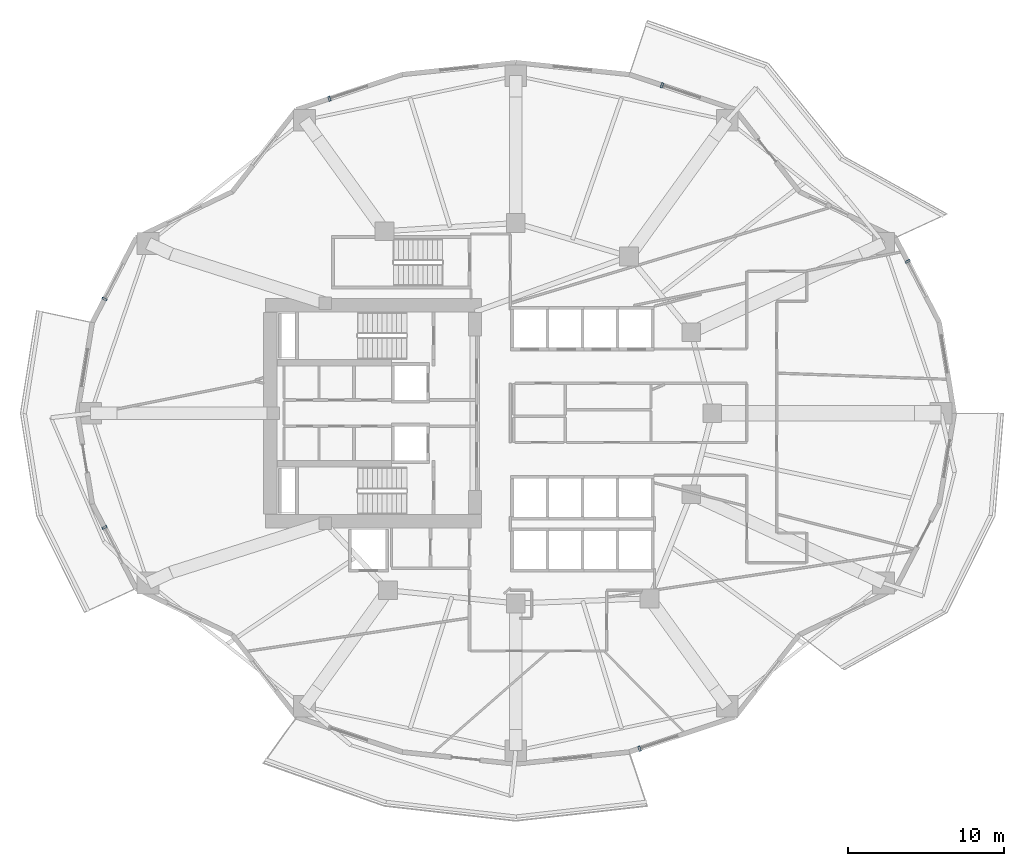
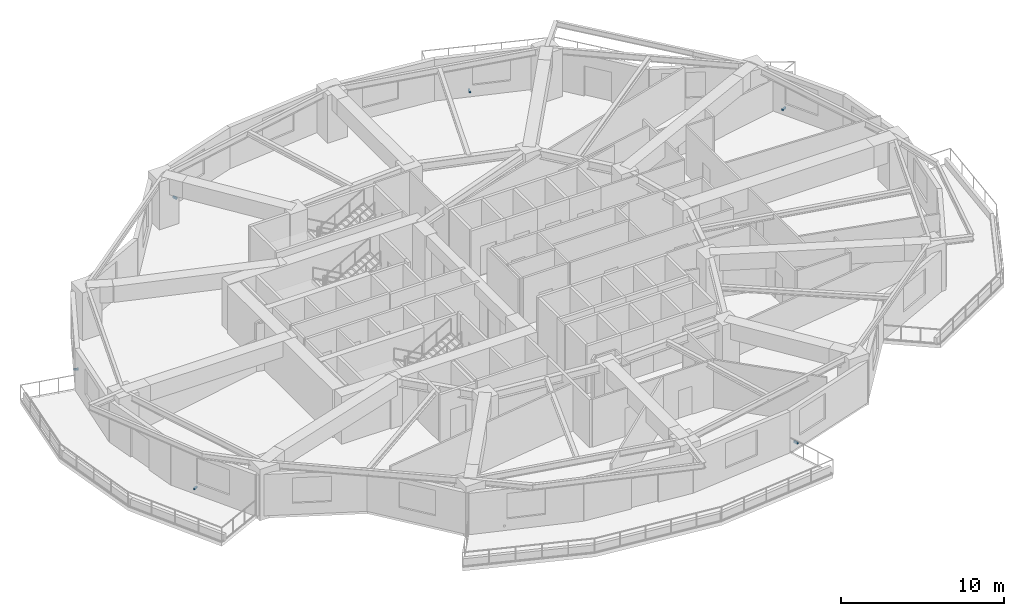
# One storey, part 8 of 13: 6 discrete accessories.
"""IFC4 building model written with IfcOpenShell, lengths in metres."""

from ifc_helpers import new_model, si_unit, direction, frame, origin, origin_2d, place, context, subcontext, project, spatial, rectangle, extrude, material, type_object, element, save


model = new_model("IFC4")

# Units and contexts
model_context = context("Model", 3, precision=1e-05, world=origin(), true_north=direction((0.0, 1.0)))
body_context = subcontext(model_context, "Body", "Model", "MODEL_VIEW")
ifc_project = project(units=[si_unit("LENGTHUNIT", "METRE"), si_unit("AREAUNIT", "SQUARE_METRE"), si_unit("VOLUMEUNIT", "CUBIC_METRE"), si_unit("PLANEANGLEUNIT", "RADIAN"), si_unit("MASSUNIT", "GRAM", prefix="KILO")], contexts=[model_context])

# Site, building, storey
site_placement = place(None, origin())
site = spatial("IfcSite", under=ifc_project, at=site_placement, CompositionType="ELEMENT")
building_placement = place(site_placement, origin())
building = spatial("IfcBuilding", under=site, at=building_placement, Name="Kolvaren Gate Tower and Convention Centre", CompositionType="ELEMENT")
storey_placement = place(building_placement, frame((0.0, 0.0, 49.60009765625)))
storey = spatial("IfcBuildingStorey", under=building, at=storey_placement, Name="L11", CompositionType="ELEMENT", Elevation=49.60009765625)

# Discrete accessories
ifc_material = material(Name="Anodized Architectural Aluminium Alloy 6063-T6", Category="aluminium")
discrete_accessory_type = type_object("IfcDiscreteAccessoryType", Name="ARCH-ACC-BRACKET-120", PredefinedType="BRACKET", material=ifc_material)
for number, where, z_axis, x_axis, name in (
    (1, (55.26123046875, 36.744873046875, 0.289794921875), (0.0, 0.0, 1.0), (0.459789110083, -0.888028138208, 0.0), "Ceramic Fin Wall Anchor Bracket FBK-L11-01"),
    (2, (39.5048828125, 48.037109375, 0.289794921875), (0.0, 0.0, 1.0), (0.949242826568, -0.314544203905, 0.0), "Ceramic Fin Wall Anchor Bracket FBK-L11-04"),
    (3, (18.1630859375, 47.181640625, 0.289794921875), (0.0, 0.0, 1.0), (0.949242826568, 0.314544203905, 0.0), "Ceramic Fin Wall Anchor Bracket FBK-L11-07"),
    (4, (3.737548828125, 34.32861328125, 0.289794921875), (0.0, 0.0, 1.0), (0.459789110083, 0.888028138208, 0.0), "Ceramic Fin Wall Anchor Bracket FBK-L11-10"),
    (5, (3.737548828125, 19.67138671875, 0.289794921875), (0.0, 0.0, 1.0), (0.459789110083, -0.888028138208, 0.0), "Ceramic Fin Wall Anchor Bracket FBK-L11-13"),
    (6, (38.059326171875, 5.483642578125, 0.289794921875), (0.0, 0.0, 1.0), (0.949242826568, 0.314544203905, 0.0), "Ceramic Fin Wall Anchor Bracket FBK-L11-19"),
):
    element("IfcDiscreteAccessory", number, at=place(storey_placement, frame(where, z_axis=z_axis, x_axis=x_axis)), inside=storey, type_object=discrete_accessory_type, Name=name, PredefinedType="BRACKET", context=body_context, shape_type="SweptSolid", body=[
        extrude(rectangle(XDim=0.1201171875, YDim=0.320068359375, at=origin_2d()), origin(), (0.0, 0.0, 1.0), 0.1201171875),
    ])

save(model, "model.ifc")
